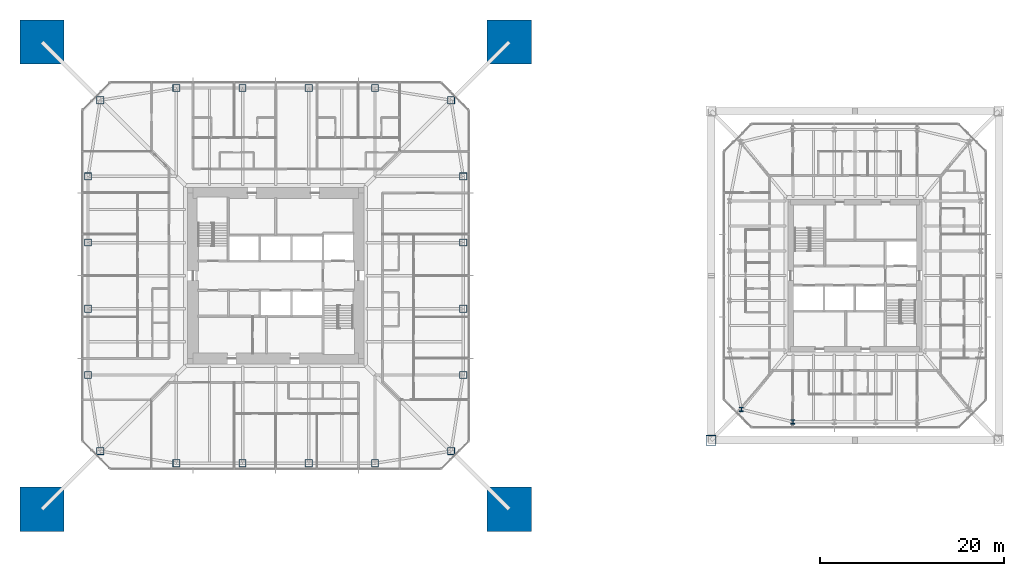
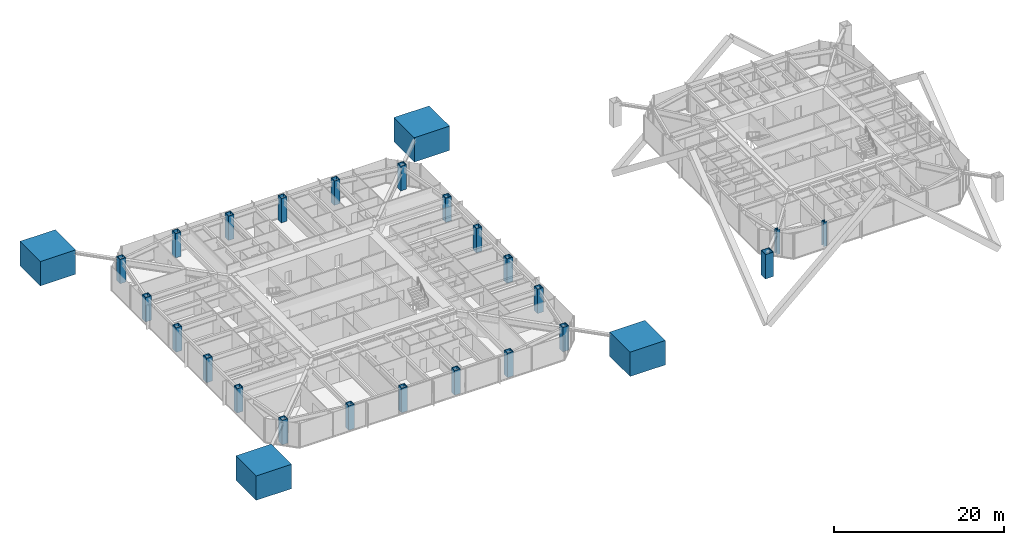
# One storey, part 1 of 25: 27 columns.
"""IFC4 building model written with IfcOpenShell, lengths in metres."""

from ifc_helpers import new_model, si_unit, direction, frame, origin, origin_2d, place, context, subcontext, project, spatial, rectangle, hollow_rectangle, i_section, extrude, material, material_profile, profile_set, type_object, element, save


model = new_model("IFC4")

# Units and contexts
model_context = context("Model", 3, precision=1e-05, world=origin(), true_north=direction((0.0, 1.0)))
body_context = subcontext(model_context, "Body", "Model", "MODEL_VIEW")
ifc_project = project(units=[si_unit("LENGTHUNIT", "METRE"), si_unit("AREAUNIT", "SQUARE_METRE"), si_unit("VOLUMEUNIT", "CUBIC_METRE"), si_unit("PLANEANGLEUNIT", "RADIAN"), si_unit("MASSUNIT", "GRAM", prefix="KILO")], contexts=[model_context])

# Site, building, storey
site_placement = place(None, origin())
site = spatial("IfcSite", under=ifc_project, at=site_placement, CompositionType="ELEMENT")
building_placement = place(site_placement, origin())
building = spatial("IfcBuilding", under=site, at=building_placement, Name="Iwan Alto Co-Living Towers", CompositionType="ELEMENT")
storey_placement = place(building_placement, frame((0.0, 0.0, 108.5)))
storey = spatial("IfcBuildingStorey", under=building, at=storey_placement, Name="L29", CompositionType="ELEMENT", Elevation=108.5)

# Columns
ifc_material_1 = material(Name="Concrete f'c 70 MPa", Category="concrete")
ifc_material_profile_1 = material_profile(ifc_material_1, rectangle(XDim=4.800048828125, YDim=4.800048828125, at=origin_2d()), Name="RC 4800X4800")
ifc_profile_set_1 = profile_set([ifc_material_profile_1], Name="Concrete f'c 70 MPa")
column_type_1 = type_object("IfcColumnType", Name="T1 MEGA COLUMN RC 4800X4800", PredefinedType="COLUMN", material=ifc_profile_set_1)
for number, where, z_axis, x_axis, name in (
    (1, (-25.39990234375, -25.39990234375, 0.0), (0.0, 0.0, 1.0), (1.0, 0.0, 0.0), "T1 mega column SW L29"),
    (2, (25.39990234375, -25.39990234375, 0.0), (0.0, 0.0, 1.0), (1.0, 0.0, 0.0), "T1 mega column SE L29"),
    (3, (25.39990234375, 25.39990234375, 0.0), (0.0, 0.0, 1.0), (1.0, 0.0, 0.0), "T1 mega column NE L29"),
    (4, (-25.39990234375, 25.39990234375, 0.0), (0.0, 0.0, 1.0), (1.0, 0.0, 0.0), "T1 mega column NW L29"),
):
    element("IfcColumn", number, at=place(storey_placement, frame(where, z_axis=z_axis, x_axis=x_axis)), inside=storey, type_object=column_type_1, Name=name, PredefinedType="COLUMN", context=body_context, shape_type="SweptSolid", body=[
        extrude(rectangle(XDim=4.800048828125, YDim=4.800048828125, at=origin_2d()), origin(), (0.0, 0.0, 1.0), 3.5),
        extrude(i_section(OverallWidth=0.4775390625, OverallDepth=0.599365234375, WebThickness=0.10009765625, FlangeThickness=0.139892578125, at=origin_2d()), origin(), (0.0, 0.0, 1.0), 3.5),
    ])
ifc_material_2 = material(Name="Steel ASTM A572 Gr 50", Category="steel")
ifc_material_profile_2 = material_profile(ifc_material_2, hollow_rectangle(XDim=0.800048828125, YDim=0.800048828125, WallThickness=0.070068359375, at=origin_2d()), Name="BOX 800X800X70")
ifc_profile_set_2 = profile_set([ifc_material_profile_2], Name="Steel ASTM A572 Gr 50")
column_type_2 = type_object("IfcColumnType", Name="T1 RING COLUMN BOX 800X800X70", PredefinedType="COLUMN", material=ifc_profile_set_2)
for number, where, z_axis, x_axis, name in (
    (5, (-19.07568359375, -19.07568359375, 0.0), (0.0, 0.0, 1.0), (1.0, 0.0, 0.0), "T1 ring column CSW L29"),
    (6, (-10.800048828125, -20.39990234375, 0.0), (0.0, 0.0, 1.0), (1.0, 0.0, 0.0), "T1 ring column S1 L29"),
    (7, (-3.60009765625, -20.39990234375, 0.0), (0.0, 0.0, 1.0), (1.0, 0.0, 0.0), "T1 ring column S2 L29"),
    (8, (3.60009765625, -20.39990234375, 0.0), (0.0, 0.0, 1.0), (1.0, 0.0, 0.0), "T1 ring column S3 L29"),
    (9, (10.800048828125, -20.39990234375, 0.0), (0.0, 0.0, 1.0), (1.0, 0.0, 0.0), "T1 ring column S4 L29"),
    (10, (19.07568359375, -19.07568359375, 0.0), (0.0, 0.0, 1.0), (1.0, 0.0, 0.0), "T1 ring column CSE L29"),
    (11, (20.39990234375, -10.800048828125, 0.0), (0.0, 0.0, 1.0), (1.0, 0.0, 0.0), "T1 ring column E1 L29"),
    (12, (20.39990234375, -3.60009765625, 0.0), (0.0, 0.0, 1.0), (1.0, 0.0, 0.0), "T1 ring column E2 L29"),
    (13, (20.39990234375, 3.60009765625, 0.0), (0.0, 0.0, 1.0), (1.0, 0.0, 0.0), "T1 ring column E3 L29"),
    (14, (20.39990234375, 10.800048828125, 0.0), (0.0, 0.0, 1.0), (1.0, 0.0, 0.0), "T1 ring column E4 L29"),
    (15, (19.07568359375, 19.07568359375, 0.0), (0.0, 0.0, 1.0), (1.0, 0.0, 0.0), "T1 ring column CNE L29"),
    (16, (10.800048828125, 20.39990234375, 0.0), (0.0, 0.0, 1.0), (1.0, 0.0, 0.0), "T1 ring column N1 L29"),
    (17, (3.60009765625, 20.39990234375, 0.0), (0.0, 0.0, 1.0), (1.0, 0.0, 0.0), "T1 ring column N2 L29"),
    (18, (-3.60009765625, 20.39990234375, 0.0), (0.0, 0.0, 1.0), (1.0, 0.0, 0.0), "T1 ring column N3 L29"),
    (19, (-10.800048828125, 20.39990234375, 0.0), (0.0, 0.0, 1.0), (1.0, 0.0, 0.0), "T1 ring column N4 L29"),
    (20, (-19.07568359375, 19.07568359375, 0.0), (0.0, 0.0, 1.0), (1.0, 0.0, 0.0), "T1 ring column CNW L29"),
    (21, (-20.39990234375, 10.800048828125, 0.0), (0.0, 0.0, 1.0), (1.0, 0.0, 0.0), "T1 ring column W1 L29"),
    (22, (-20.39990234375, 3.60009765625, 0.0), (0.0, 0.0, 1.0), (1.0, 0.0, 0.0), "T1 ring column W2 L29"),
    (23, (-20.39990234375, -3.60009765625, 0.0), (0.0, 0.0, 1.0), (1.0, 0.0, 0.0), "T1 ring column W3 L29"),
    (24, (-20.39990234375, -10.800048828125, 0.0), (0.0, 0.0, 1.0), (1.0, 0.0, 0.0), "T1 ring column W4 L29"),
):
    element("IfcColumn", number, at=place(storey_placement, frame(where, z_axis=z_axis, x_axis=x_axis)), inside=storey, type_object=column_type_2, Name=name, PredefinedType="COLUMN", context=body_context, shape_type="SweptSolid", body=[
        extrude(hollow_rectangle(XDim=0.800048828125, YDim=0.800048828125, WallThickness=0.070068359375, at=origin_2d()), origin(), (0.0, 0.0, 1.0), 3.5),
    ])
ifc_material_3 = material(Name="Steel ASTM A572 Gr 50", Category="steel")
ifc_material_profile_3 = material_profile(ifc_material_3, hollow_rectangle(XDim=1.10009765625, YDim=1.10009765625, WallThickness=0.06005859375, at=origin_2d()), Name="BOX 1100X1100X60")
ifc_profile_set_3 = profile_set([ifc_material_profile_3], Name="Steel ASTM A572 Gr 50")
column_type_3 = type_object("IfcColumnType", Name="T2 MEGA COLUMN BOX 1100X1100X60", PredefinedType="COLUMN", material=ifc_profile_set_3)
column_placement = place(storey_placement, frame((47.35009765625, -17.89990234375, 0.0), z_axis=(0.0, 0.0, 1.0), x_axis=(1.0, 0.0, 0.0)))
element("IfcColumn", 25, at=column_placement, inside=storey, type_object=column_type_3, Name="T2 mega column SW L29", PredefinedType="COLUMN", context=body_context, shape_type="SweptSolid", body=[
    extrude(hollow_rectangle(XDim=1.10009765625, YDim=1.10009765625, WallThickness=0.06005859375, at=origin_2d()), origin(), (0.0, 0.0, 1.0), 3.5),
])
ifc_material_4 = material(Name="Steel ASTM A992 Gr 50", Category="steel")
ifc_material_profile_4 = material_profile(ifc_material_4, i_section(OverallWidth=0.4267578125, OverallDepth=0.482666015625, WebThickness=0.05126953125, FlangeThickness=0.08154296875, at=origin_2d()), Name="W14X455")
ifc_profile_set_4 = profile_set([ifc_material_profile_4], Name="Steel ASTM A992 Gr 50")
column_type_4 = type_object("IfcColumnType", Name="T2 RING COLUMN W14X455", PredefinedType="COLUMN", material=ifc_profile_set_4)
for number, where, z_axis, x_axis, name in (
    (26, (50.638671875, -14.542724609375, 0.0), (0.0, 0.0, 1.0), (1.0, 0.0, 0.0), "T2 ring column CSW L29"),
    (27, (56.25, -15.89990234375, 0.0), (0.0, 0.0, 1.0), (1.0, 0.0, 0.0), "T2 ring column S1 L29"),
):
    element("IfcColumn", number, at=place(storey_placement, frame(where, z_axis=z_axis, x_axis=x_axis)), inside=storey, type_object=column_type_4, Name=name, PredefinedType="COLUMN", context=body_context, shape_type="SweptSolid", body=[
        extrude(i_section(OverallWidth=0.4267578125, OverallDepth=0.482666015625, WebThickness=0.05126953125, FlangeThickness=0.08154296875, at=origin_2d()), origin(), (0.0, 0.0, 1.0), 3.5),
    ])

save(model, "model.ifc")
